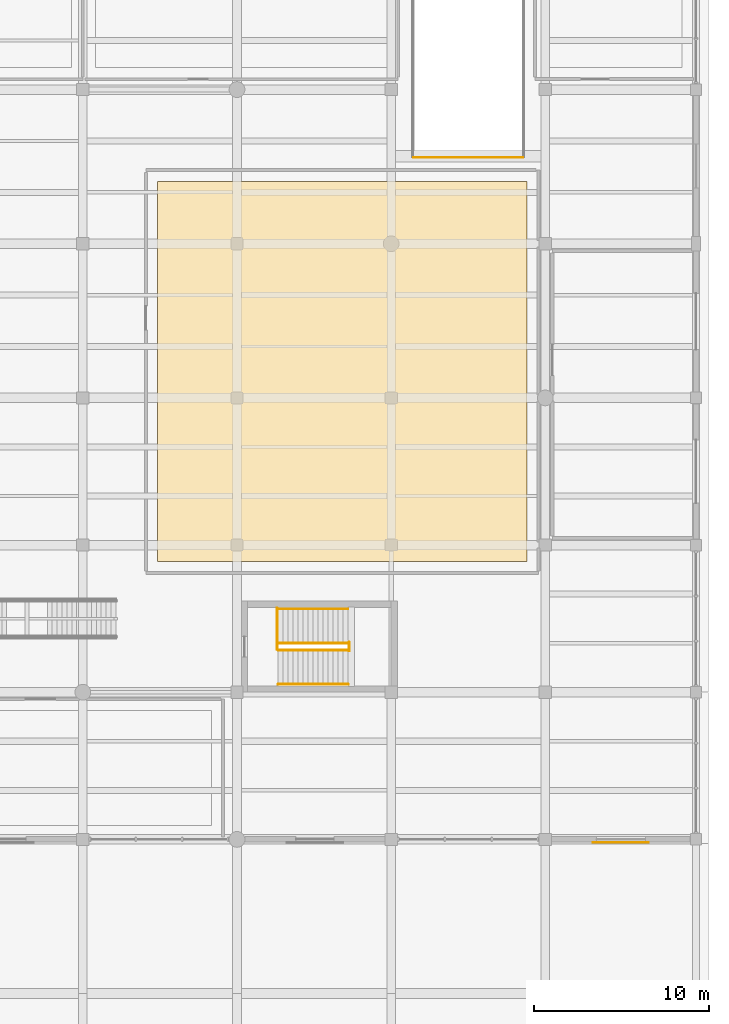
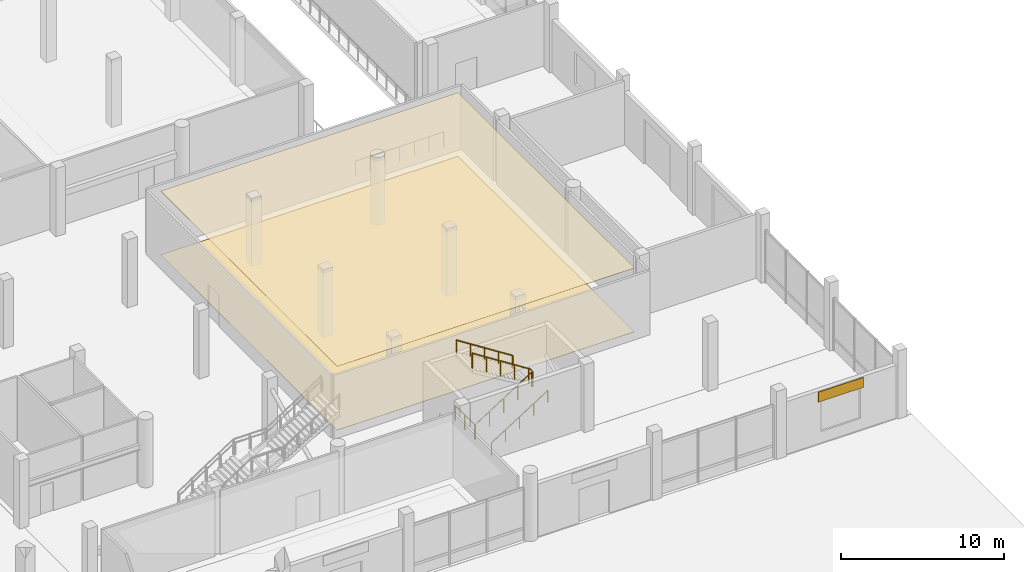
# One storey, part 71 of 73: 7 railings, 3 coverings.
"""IFC4 building model written with IfcOpenShell, lengths in metres."""

from ifc_helpers import new_model, si_unit, direction, frame, origin, origin_2d, place, context, subcontext, project, spatial, polyline, rectangle, circle, outline, extrude, material, layer, layer_set, type_object, element, save


model = new_model("IFC4")

# Units and contexts
model_context = context("Model", 3, precision=1e-05, world=origin(), true_north=direction((0.0, 1.0)))
body_context = subcontext(model_context, "Body", "Model", "MODEL_VIEW")
ifc_project = project(units=[si_unit("LENGTHUNIT", "METRE"), si_unit("AREAUNIT", "SQUARE_METRE"), si_unit("VOLUMEUNIT", "CUBIC_METRE"), si_unit("PLANEANGLEUNIT", "RADIAN"), si_unit("MASSUNIT", "GRAM", prefix="KILO")], contexts=[model_context])

# Site, building, storey
site_placement = place(None, origin())
site = spatial("IfcSite", under=ifc_project, at=site_placement, CompositionType="ELEMENT")
building_placement = place(site_placement, origin())
building = spatial("IfcBuilding", under=site, at=building_placement, Name="Meriwether Solvik Hall", CompositionType="ELEMENT")
storey_placement = place(building_placement, origin())
storey = spatial("IfcBuildingStorey", under=building, at=storey_placement, Name="L00", CompositionType="ELEMENT", Elevation=0.0)

# Coverings
ifc_material_1 = material(Name="Moisture-Resistant Gypsum Board", Category="gypsum")
ifc_layer_1 = layer(ifc_material_1, 0.01806640625)
ifc_layer_set_1 = layer_set([ifc_layer_1], Name="Moisture-Resistant Gypsum Board")
covering_type_1 = type_object("IfcCoveringType", Name="COV-CEIL-GYP", PredefinedType="CEILING", material=ifc_layer_set_1)
covering_1_placement = place(storey_placement, frame((0.0, 0.0, 4.781982421875)))
element("IfcCovering", 1, at=covering_1_placement, inside=storey, type_object=covering_type_1, Name="Civic Broadcast and Media Production Suite Acoustic Soffit Ceiling", PredefinedType="CEILING", context=body_context, shape_type="SweptSolid", body=[
    extrude(outline(polyline([(157.14990234375, 87.550048828125), (157.14990234375, 65.85009765625), (136.050048828125, 65.85009765625), (136.050048828125, 87.550048828125), (157.14990234375, 87.550048828125)])), origin(), (0.0, 0.0, 1.0), 0.01806640625),
])
ifc_material_2 = material(Name="Glazed Extruded Terracotta Ceramic", Category="masonry")
ifc_layer_2 = layer(ifc_material_2, 0.044921875)
ifc_layer_set_2 = layer_set([ifc_layer_2], Name="Glazed Extruded Terracotta Ceramic")
covering_type_2 = type_object("IfcCoveringType", Name="COV-CLAD-TERRA", PredefinedType="CLADDING", material=ifc_layer_set_2)
covering_2_placement = place(storey_placement, frame((162.512451171875, 49.824951171875, 3.139892578125), z_axis=(0.0, 0.0, 1.0), x_axis=(-1.0, 0.0, 0.0)))
element("IfcCovering", 2, at=covering_2_placement, inside=storey, type_object=covering_type_2, Name="L00 Facade Cladding XF_18_17", PredefinedType="CLADDING", context=body_context, shape_type="SweptSolid", body=[
    extrude(rectangle(XDim=3.199951171875, YDim=0.044921875, at=origin_2d()), origin(), (0.0, 0.0, 1.0), 0.75),
])
ifc_material_3 = material(Name="Polished Recycled-Aggregate Terrazzo", Category="stone")
ifc_layer_3 = layer(ifc_material_3, 0.02001953125)
ifc_layer_set_3 = layer_set([ifc_layer_3], Name="Polished Recycled-Aggregate Terrazzo")
covering_type_3 = type_object("IfcCoveringType", Name="COV-FLR-TERR", PredefinedType="FLOORING", material=ifc_layer_set_3)
covering_3_placement = place(storey_placement, origin())
element("IfcCovering", 3, at=covering_3_placement, inside=storey, type_object=covering_type_3, Name="Civic Broadcast and Media Production Suite Finish Flooring", PredefinedType="FLOORING", context=body_context, shape_type="SweptSolid", body=[
    extrude(outline(polyline([(157.14990234375, 87.550048828125), (157.14990234375, 65.85009765625), (136.050048828125, 65.85009765625), (136.050048828125, 87.550048828125), (157.14990234375, 87.550048828125)])), origin(), (0.0, 0.0, 1.0), 0.02001953125),
])

# Railings
ifc_material_4 = material(Name="Steel A36 Galvanised", Category="steel")
ifc_layer_4 = layer(ifc_material_4, 0.054931640625)
ifc_layer_set_4 = layer_set([ifc_layer_4], Name="Steel A36 Galvanised")
railing_type_1 = type_object("IfcRailingType", Name="RAIL-STR-GUARD", PredefinedType="GUARDRAIL", material=ifc_layer_set_4)
railing_1_placement = place(storey_placement, frame((147.0, 60.75, 2.550048828125)))
element("IfcRailing", 4, at=railing_1_placement, inside=storey, type_object=railing_type_1, Name="Stair ST-05 Landing Guardrail (L00)", PredefinedType="GUARDRAIL", context=body_context, shape_type="SweptSolid", body=[
    extrude(circle(Radius=0.02392578125, at=origin_2d()), frame((0.0, 0.0, 1.09619140625), z_axis=(0.0, 1.0, 0.0), x_axis=(-1.0, 0.0, 0.0)), (0.0, 0.0, 1.0), 0.5),
    extrude(circle(Radius=0.02099609375, at=origin_2d()), origin(), (0.0, 0.0, 1.0), 1.072021484375),
    extrude(circle(Radius=0.02099609375, at=origin_2d()), frame((0.0, 0.5, 0.0)), (0.0, 0.0, 1.0), 1.072021484375),
])
railing_2_placement = place(storey_placement, frame((142.889892578125, 60.840087890625, 0.0)))
element("IfcRailing", 5, at=railing_2_placement, inside=storey, type_object=railing_type_1, Name="Stair ST-05 Well Guardrail (L00)", PredefinedType="GUARDRAIL", context=body_context, shape_type="SweptSolid", body=[
    extrude(circle(Radius=0.02392578125, at=origin_2d()), frame((0.0, 0.0, 1.09619140625), z_axis=(0.0, 1.0, 0.0), x_axis=(-1.0, 0.0, 0.0)), (0.0, 0.0, 1.0), 2.35986328125),
    extrude(circle(Radius=0.02099609375, at=origin_2d()), origin(), (0.0, 0.0, 1.0), 1.072021484375),
    extrude(circle(Radius=0.02099609375, at=origin_2d()), frame((0.0, 1.179931640625, 0.0)), (0.0, 0.0, 1.0), 1.072021484375),
    extrude(circle(Radius=0.02099609375, at=origin_2d()), frame((0.0, 2.35986328125, 0.0)), (0.0, 0.0, 1.0), 1.072021484375),
])
railing_3_placement = place(storey_placement, frame((142.949951171875, 60.800048828125, 0.0)))
element("IfcRailing", 6, at=railing_3_placement, inside=storey, type_object=railing_type_1, Name="Stair ST-05 Flight 1 Inner Guardrail (L00)", PredefinedType="GUARDRAIL", context=body_context, shape_type="SweptSolid", body=[
    extrude(circle(Radius=0.02392578125, at=origin_2d()), frame((0.0, 0.0, 1.09619140625), z_axis=(0.842611129269, 0.0, 0.538522501696), x_axis=(0.0, 1.0, 0.0)), (0.0, 0.0, 1.0), 4.7353515625),
    extrude(circle(Radius=0.02099609375, at=origin_2d()), origin(), (0.0, 0.0, 1.0), 1.072021484375),
    extrude(circle(Radius=0.02099609375, at=origin_2d()), frame((0.99755859375, 0.0, 0.637451171875)), (0.0, 0.0, 1.0), 1.072021484375),
    extrude(circle(Radius=0.02099609375, at=origin_2d()), frame((1.9951171875, 0.0, 1.27490234375)), (0.0, 0.0, 1.0), 1.072021484375),
    extrude(circle(Radius=0.02099609375, at=origin_2d()), frame((2.992431640625, 0.0, 1.91259765625)), (0.0, 0.0, 1.0), 1.072021484375),
    extrude(circle(Radius=0.02099609375, at=origin_2d()), frame((3.989990234375, 0.0, 2.550048828125)), (0.0, 0.0, 1.0), 1.072021484375),
])
railing_4_placement = place(storey_placement, frame((146.93994140625, 61.199951171875, 2.550048828125)))
element("IfcRailing", 7, at=railing_4_placement, inside=storey, type_object=railing_type_1, Name="Stair ST-05 Flight 2 Inner Guardrail (L00)", PredefinedType="GUARDRAIL", context=body_context, shape_type="SweptSolid", body=[
    extrude(circle(Radius=0.02392578125, at=origin_2d()), frame((0.0, 0.0, 1.09619140625), z_axis=(-0.842611129269, 0.0, 0.538522501696), x_axis=(0.0, -1.0, 0.0)), (0.0, 0.0, 1.0), 4.7353515625),
    extrude(circle(Radius=0.02099609375, at=origin_2d()), origin(), (0.0, 0.0, 1.0), 1.072021484375),
    extrude(circle(Radius=0.02099609375, at=origin_2d()), frame((-0.99755859375, 0.0, 0.637451171875)), (0.0, 0.0, 1.0), 1.072021484375),
    extrude(circle(Radius=0.02099609375, at=origin_2d()), frame((-1.9951171875, 0.0, 1.27490234375)), (0.0, 0.0, 1.0), 1.072021484375),
    extrude(circle(Radius=0.02099609375, at=origin_2d()), frame((-2.992431640625, 0.0, 1.91259765625)), (0.0, 0.0, 1.0), 1.072021484375),
    extrude(circle(Radius=0.02099609375, at=origin_2d()), frame((-3.989990234375, 0.0, 2.550048828125)), (0.0, 0.0, 1.0), 1.072021484375),
])
railing_5_placement = place(storey_placement, frame((150.672119140625, 88.919921875, 0.0)))
element("IfcRailing", 8, at=railing_5_placement, inside=storey, type_object=railing_type_1, Name="L00 Basement Car Ramp Guardrail 2", PredefinedType="GUARDRAIL", context=body_context, shape_type="SweptSolid", body=[
    extrude(circle(Radius=0.02392578125, at=origin_2d()), frame((0.0, 0.0, 1.09619140625), z_axis=(1.0, 0.0, 0.0), x_axis=(0.0, 1.0, 0.0)), (0.0, 0.0, 1.0), 6.255859375),
    extrude(circle(Radius=0.02099609375, at=origin_2d()), origin(), (0.0, 0.0, 1.0), 1.072021484375),
    extrude(circle(Radius=0.02099609375, at=origin_2d()), frame((1.042724609375, 0.0, 0.0)), (0.0, 0.0, 1.0), 1.072021484375),
    extrude(circle(Radius=0.02099609375, at=origin_2d()), frame((2.085205078125, 0.0, 0.0)), (0.0, 0.0, 1.0), 1.072021484375),
    extrude(circle(Radius=0.02099609375, at=origin_2d()), frame((3.1279296875, 0.0, 0.0)), (0.0, 0.0, 1.0), 1.072021484375),
    extrude(circle(Radius=0.02099609375, at=origin_2d()), frame((4.170654296875, 0.0, 0.0)), (0.0, 0.0, 1.0), 1.072021484375),
    extrude(circle(Radius=0.02099609375, at=origin_2d()), frame((5.213134765625, 0.0, 0.0)), (0.0, 0.0, 1.0), 1.072021484375),
    extrude(circle(Radius=0.02099609375, at=origin_2d()), frame((6.255859375, 0.0, 0.0)), (0.0, 0.0, 1.0), 1.072021484375),
])
ifc_material_5 = material(Name="Stainless Steel AISI 316", Category="steel")
ifc_layer_5 = layer(ifc_material_5, 0.044921875)
ifc_layer_set_5 = layer_set([ifc_layer_5], Name="Stainless Steel AISI 316")
railing_type_2 = type_object("IfcRailingType", Name="RAIL-STR-HAND", PredefinedType="HANDRAIL", material=ifc_layer_set_5)
railing_6_placement = place(storey_placement, frame((142.949951171875, 58.85009765625, 0.0)))
element("IfcRailing", 9, at=railing_6_placement, inside=storey, type_object=railing_type_2, Name="Stair ST-05 Lower Handrail (L00)", PredefinedType="HANDRAIL", context=body_context, shape_type="SweptSolid", body=[
    extrude(circle(Radius=0.02392578125, at=origin_2d()), frame((0.0, 0.0, 0.89599609375), z_axis=(0.842619041047, 0.0, 0.538510122157), x_axis=(0.0, 1.0, 0.0)), (0.0, 0.0, 1.0), 4.7421875),
    extrude(circle(Radius=0.02099609375, at=origin_2d()), origin(), (0.0, 0.0, 1.0), 0.871826171875),
    extrude(circle(Radius=0.02099609375, at=origin_2d()), frame((0.9990234375, 0.0, 0.638427734375)), (0.0, 0.0, 1.0), 0.871826171875),
    extrude(circle(Radius=0.02099609375, at=origin_2d()), frame((1.998046875, 0.0, 1.27685546875)), (0.0, 0.0, 1.0), 0.871826171875),
    extrude(circle(Radius=0.02099609375, at=origin_2d()), frame((2.996826171875, 0.0, 1.915283203125)), (0.0, 0.0, 1.0), 0.871826171875),
    extrude(circle(Radius=0.02099609375, at=origin_2d()), frame((3.995849609375, 0.0, 2.5537109375)), (0.0, 0.0, 1.0), 0.871826171875),
])
railing_7_placement = place(storey_placement, frame((146.93994140625, 63.14990234375, 2.550048828125)))
element("IfcRailing", 10, at=railing_7_placement, inside=storey, type_object=railing_type_2, Name="Stair ST-05 Upper Handrail (L00)", PredefinedType="HANDRAIL", context=body_context, shape_type="SweptSolid", body=[
    extrude(circle(Radius=0.02392578125, at=origin_2d()), frame((0.0, 0.0, 0.89599609375), z_axis=(-0.842619041047, 0.0, 0.538510122157), x_axis=(0.0, -1.0, 0.0)), (0.0, 0.0, 1.0), 4.7421875),
    extrude(circle(Radius=0.02099609375, at=origin_2d()), origin(), (0.0, 0.0, 1.0), 0.871826171875),
    extrude(circle(Radius=0.02099609375, at=origin_2d()), frame((-0.9990234375, 0.0, 0.638427734375)), (0.0, 0.0, 1.0), 0.871826171875),
    extrude(circle(Radius=0.02099609375, at=origin_2d()), frame((-1.998046875, 0.0, 1.27685546875)), (0.0, 0.0, 1.0), 0.871826171875),
    extrude(circle(Radius=0.02099609375, at=origin_2d()), frame((-2.996826171875, 0.0, 1.915283203125)), (0.0, 0.0, 1.0), 0.871826171875),
    extrude(circle(Radius=0.02099609375, at=origin_2d()), frame((-3.995849609375, 0.0, 2.5537109375)), (0.0, 0.0, 1.0), 0.871826171875),
])

save(model, "model.ifc")
